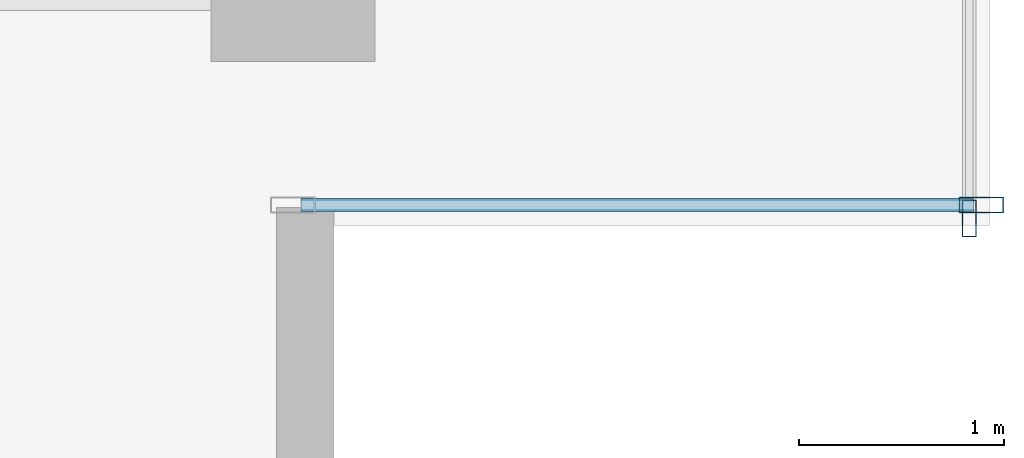
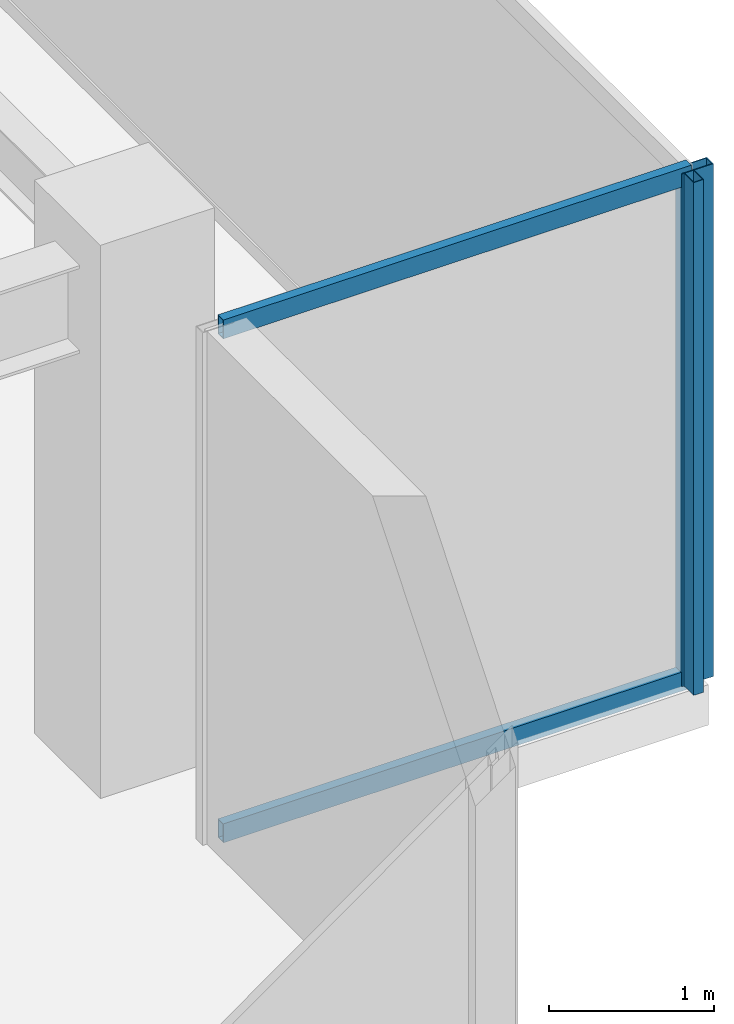
# One storey, part 22 of 33: 4 members, 2 elements without a shape of their own.
"""IFC4 building model written with IfcOpenShell, lengths in metres."""

import ifcopenshell
import ifcopenshell.guid

model = None  # the IFC model being written
_history = None  # IfcOwnerHistory: only IFC2X3 demands one
_inside = {}  # id of a spatial element -> (the spatial element, [elements in it])
_under = {}  # id of a project, library or spatial element -> (it, [spatial elements below it])
_declared = {}  # id of a project -> (the project, [libraries it declares])
_typed = {}  # id of a type object -> (the type object, [elements of that type])
_made_of = {}  # id of a material, layer set ... -> (it, [elements and type objects made of it])


def new_model(schema):
    """Start an empty IFC model of exactly this schema.

    Asked for "IFC4X3", IfcOpenShell would pick the latest addendum, in which some entities
    have other attributes; the version numbers below select the first issue.
    IFC2X3 requires an IfcOwnerHistory on every rooted entity: one is made here for all.
    """
    global model, _history
    if schema == "IFC4X3":
        model = ifcopenshell.file(schema_version=(4, 3, 0, 0))
    else:
        model = ifcopenshell.file(schema=schema)
    _inside.clear()
    _under.clear()
    _declared.clear()
    _typed.clear()
    _made_of.clear()
    _history = None
    if model.schema == "IFC2X3":
        org = make("IfcOrganization", Name="unknown")
        user = make(
            "IfcPersonAndOrganization",
            ThePerson=make("IfcPerson", FamilyName="unknown"),
            TheOrganization=org,
        )
        app = make(
            "IfcApplication",
            ApplicationDeveloper=org,
            Version="unknown",
            ApplicationFullName="unknown",
            ApplicationIdentifier="unknown",
        )
        _history = make(
            "IfcOwnerHistory",
            OwningUser=user,
            OwningApplication=app,
            ChangeAction="ADDED",
            CreationDate=0,
        )
    return model


def make(cls, **values):
    """One entity of the class cls with the attributes given. An attribute that is None is left unset."""
    return model.create_entity(
        cls, **{name: value for name, value in values.items() if value is not None}
    )


def rooted(cls, **values):
    """An entity with a GlobalId (a new one), such as an element, a storey or a relation."""
    return make(cls, GlobalId=ifcopenshell.guid.new(), OwnerHistory=_history, **values)


def si_unit(unit_type, name, prefix=None):
    """IfcSIUnit, for example si_unit("LENGTHUNIT", "METRE", prefix="MILLI")."""
    return make("IfcSIUnit", UnitType=unit_type, Prefix=prefix, Name=name)


def assignment(units):
    """IfcUnitAssignment: the units of a project."""
    return None if units is None else make("IfcUnitAssignment", Units=units)


def point(xyz):
    """IfcCartesianPoint."""
    return None if xyz is None else make("IfcCartesianPoint", Coordinates=xyz)


def direction(xyz):
    """IfcDirection."""
    return None if xyz is None else make("IfcDirection", DirectionRatios=xyz)


def frame(location, z_axis=None, x_axis=None):
    """IfcAxis2Placement3D, a coordinate frame: its origin and axes. An axis left out is left unset."""
    return make(
        "IfcAxis2Placement3D",
        Location=point(location),
        Axis=direction(z_axis),
        RefDirection=direction(x_axis),
    )


def frame_2d(location, x_axis=None):
    """IfcAxis2Placement2D, a coordinate frame in the plane: its origin and x axis."""
    return make(
        "IfcAxis2Placement2D", Location=point(location), RefDirection=direction(x_axis)
    )


def origin():
    """The frame at (0, 0, 0) with its axes left unset."""
    return frame((0.0, 0.0, 0.0))


def origin_2d():
    """The frame at (0, 0) in the plane with its x axis left unset."""
    return frame_2d((0.0, 0.0))


def place(relative_to, where):
    """IfcLocalPlacement: puts the frame where relative to a parent placement (None: the world)."""
    return make(
        "IfcLocalPlacement", PlacementRelTo=relative_to, RelativePlacement=where
    )


def context(
    kind, dimensions, precision=None, world=None, true_north=None, identifier=None
):
    """IfcGeometricRepresentationContext, for example the 3D "Model" context."""
    return make(
        "IfcGeometricRepresentationContext",
        ContextIdentifier=identifier,
        ContextType=kind,
        CoordinateSpaceDimension=dimensions,
        Precision=precision,
        WorldCoordinateSystem=world,
        TrueNorth=true_north,
    )


def subcontext(parent, identifier, kind, view, scale=None):
    """IfcGeometricRepresentationSubContext, for example "Body" below "Model"."""
    return make(
        "IfcGeometricRepresentationSubContext",
        ContextIdentifier=identifier,
        ContextType=kind,
        ParentContext=parent,
        TargetScale=scale,
        TargetView=view,
    )


def project(units=None, contexts=None):
    """IfcProject with its units and contexts."""
    return rooted(
        "IfcProject",
        Name="project",
        RepresentationContexts=contexts,
        UnitsInContext=assignment(units),
    )


def spatial(cls, under=None, at=None, **own):
    """A site, building, storey or space (cls), placed at a placement, below another one or the project."""
    s = rooted(cls, ObjectPlacement=at, **own)
    if under is not None:
        _under.setdefault(under.id(), (under, []))[1].append(s)
    return s


def profile(cls, at=None, kind="AREA", **sizes):
    """A parametric profile (cls). Its sizes go by their IFC names, for example OverallWidth=200.0."""
    return make(cls, ProfileType=kind, Position=at, **sizes)


def hollow_rectangle(**sizes):
    """IfcRectangleHollowProfileDef."""
    return profile("IfcRectangleHollowProfileDef", **sizes)


def extrude(swept, where, along, depth):
    """IfcExtrudedAreaSolid: the profile swept, set in the frame where, extruded along a direction by depth."""
    return make(
        "IfcExtrudedAreaSolid",
        SweptArea=swept,
        Position=where,
        ExtrudedDirection=direction(along),
        Depth=depth,
    )


def shape(context_of_items, identifier, shape_type, items):
    """IfcShapeRepresentation: the items that make up one representation, for example the "Body"."""
    return make(
        "IfcShapeRepresentation",
        ContextOfItems=context_of_items,
        RepresentationIdentifier=identifier,
        RepresentationType=shape_type,
        Items=items,
    )


def source(mapping_origin, context_of_items, identifier, shape_type, items):
    """IfcRepresentationMap: a shape defined once, which mapped items show again and again."""
    return make(
        "IfcRepresentationMap",
        MappingOrigin=mapping_origin,
        MappedRepresentation=shape(context_of_items, identifier, shape_type, items),
    )


def transform(
    local_origin,
    x_axis=None,
    y_axis=None,
    z_axis=None,
    scale=None,
    scale2=None,
    scale3=None,
    uniform=True,
):
    """IfcCartesianTransformationOperator3D, or its non-uniform kind. x_axis, y_axis, z_axis: its Axis1, 2, 3."""
    if uniform:
        return make(
            "IfcCartesianTransformationOperator3D",
            Axis1=direction(x_axis),
            Axis2=direction(y_axis),
            LocalOrigin=point(local_origin),
            Scale=scale,
            Axis3=direction(z_axis),
        )
    return make(
        "IfcCartesianTransformationOperator3DnonUniform",
        Axis1=direction(x_axis),
        Axis2=direction(y_axis),
        LocalOrigin=point(local_origin),
        Scale=scale,
        Axis3=direction(z_axis),
        Scale2=scale2,
        Scale3=scale3,
    )


def mapped(mapping_source, mapping_target):
    """IfcMappedItem: shows the shape of a source again, moved by a transform."""
    return make(
        "IfcMappedItem", MappingSource=mapping_source, MappingTarget=mapping_target
    )


def material(Name=None, Category=None):
    """IfcMaterial."""
    return make("IfcMaterial", Name=Name, Category=Category)


def layer(
    of_material, thickness, ventilated=None, Name=None, Category=None, Priority=None
):
    """IfcMaterialLayer: one layer of a wall or slab, of a material (None: an air gap)."""
    return make(
        "IfcMaterialLayer",
        Material=of_material,
        LayerThickness=thickness,
        IsVentilated=ventilated,
        Name=Name,
        Category=Category,
        Priority=Priority,
    )


def layer_set(layers, Name=None):
    """IfcMaterialLayerSet."""
    return make("IfcMaterialLayerSet", MaterialLayers=layers, LayerSetName=Name)


def material_profile(
    of_material, cross_section, Name=None, Category=None, Priority=None
):
    """IfcMaterialProfile: a cross section and its material."""
    return make(
        "IfcMaterialProfile",
        Name=Name,
        Material=of_material,
        Profile=cross_section,
        Priority=Priority,
        Category=Category,
    )


def profile_set(profiles, Name=None, composite=None):
    """IfcMaterialProfileSet."""
    return make(
        "IfcMaterialProfileSet",
        Name=Name,
        MaterialProfiles=profiles,
        CompositeProfile=composite,
    )


def made_of(thing, what):
    """Note that an element or type object is made of a material, layer set ...; save() writes the relation."""
    if what is not None:
        _made_of.setdefault(what.id(), (what, []))[1].append(thing)
    return thing


def type_object(cls, material=None, **own):
    """A type object (cls), such as IfcWallType, which elements share."""
    return made_of(rooted(cls, **own), material)


def type_shapes(of_type, sources):
    """Give a type object the sources (RepresentationMaps) that its elements show as mapped items."""
    of_type.RepresentationMaps = sources


def element(
    cls,
    number,
    at=None,
    inside=None,
    cuts=None,
    type_object=None,
    material=None,
    context=None,
    identifier="Body",
    shape_type=None,
    held_by="IfcProductDefinitionShape",
    body=None,
    shapes=None,
    **own,
):
    """One element of the class cls, such as IfcWall. Its Tag is "e" and its number.

    at: its placement. inside: the storey or other place that contains it. cuts: it is an
    opening in that element (IfcRelVoidsElement). A single representation is given by context,
    identifier, shape_type and body (its items); several are given by shapes. held_by: the class
    of the entity that holds the representations. save() writes the other relations.
    """
    e = rooted(cls, Tag="e%d" % number, ObjectPlacement=at, **own)
    if body is not None:
        shapes = [shape(context, identifier, shape_type, body)]
    if shapes is not None:
        e.Representation = make(held_by, Representations=shapes)
    if inside is not None:
        _inside.setdefault(inside.id(), (inside, []))[1].append(e)
    if cuts is not None:
        rooted(
            "IfcRelVoidsElement", RelatingBuildingElement=cuts, RelatedOpeningElement=e
        )
    if type_object is not None:
        _typed.setdefault(type_object.id(), (type_object, []))[1].append(e)
    return made_of(e, material)


def aggregate(whole, parts):
    """IfcRelAggregates: a whole, such as a stair, and the parts it consists of."""
    return rooted("IfcRelAggregates", RelatingObject=whole, RelatedObjects=parts)


def save(model, path):
    """Write the relations noted so far, then the file.

    IfcRelAggregates (storeys below a building ...), IfcRelContainedInSpatialStructure (elements
    in a storey), IfcRelDefinesByType, IfcRelAssociatesMaterial and IfcRelDeclares: one each for
    every whole, place, type object, material and project.
    """
    for whole, parts in _under.values():
        aggregate(whole, parts)
    for where, things in _inside.values():
        rooted(
            "IfcRelContainedInSpatialStructure",
            RelatedElements=things,
            RelatingStructure=where,
        )
    for kind, things in _typed.values():
        rooted("IfcRelDefinesByType", RelatedObjects=things, RelatingType=kind)
    for what, things in _made_of.values():
        rooted("IfcRelAssociatesMaterial", RelatedObjects=things, RelatingMaterial=what)
    for by, libraries in _declared.values():
        rooted("IfcRelDeclares", RelatingContext=by, RelatedDefinitions=libraries)
    model.write(path)


model = new_model("IFC4")

# Units and contexts
model_context = context("Model", 3, precision=1e-05, world=origin(), true_north=direction((0.0, 1.0)))
body_context = subcontext(model_context, "Body", "Model", "MODEL_VIEW")
ifc_project = project(units=[si_unit("LENGTHUNIT", "METRE"), si_unit("AREAUNIT", "SQUARE_METRE"), si_unit("VOLUMEUNIT", "CUBIC_METRE"), si_unit("PLANEANGLEUNIT", "RADIAN"), si_unit("MASSUNIT", "GRAM", prefix="KILO")], contexts=[model_context])

# Site, building, storey
site_placement = place(None, origin())
site = spatial("IfcSite", under=ifc_project, at=site_placement, CompositionType="ELEMENT")
building_placement = place(site_placement, origin())
building = spatial("IfcBuilding", under=site, at=building_placement, Name="Haelvirn Gate Laboratories", CompositionType="ELEMENT")
storey_placement = place(building_placement, frame((0.0, 0.0, 217.800048828125)))
storey = spatial("IfcBuildingStorey", under=building, at=storey_placement, Name="L52", CompositionType="ELEMENT", Elevation=217.800048828125)

# Curtain wall, members
ifc_material_1 = material(Name="Anodised bronze unitised aluminium & triple low-E glass", Category="aluminium")
ifc_layer_1 = layer(ifc_material_1, 0.181884765625, Name="CW-SYS-5")
ifc_layer_set_1 = layer_set([ifc_layer_1], Name="Anodised bronze unitised aluminium & triple low-E glass")
curtain_wall_type_1 = type_object("IfcCurtainWallType", Name="CW-SYS-5", PredefinedType="NOTDEFINED", material=ifc_layer_set_1)
curtain_wall_1_placement = place(storey_placement, origin())
curtain_wall_1 = element("IfcCurtainWall", 1, at=curtain_wall_1_placement, inside=storey, type_object=curtain_wall_type_1, Name="L52 Unitised Curtain Wall CW-L52-P0-E06-1", PredefinedType="NOTDEFINED")
ifc_material_2 = material(Name="Extruded aluminium 6063-T6 (anodised bronze)", Category="aluminium")
ifc_material_profile_1 = material_profile(ifc_material_2, hollow_rectangle(XDim=0.06494140625, YDim=0.139892578125, WallThickness=0.00390625, at=origin_2d()), Name="CWT-140x65x4")
ifc_profile_set_1 = profile_set([ifc_material_profile_1], Name="Extruded aluminium 6063-T6 (anodised bronze)")
member_type_1 = type_object("IfcMemberType", Name="CWT-T140", PredefinedType="USERDEFINED", material=ifc_profile_set_1)
shared_shape_1 = source(origin(), body_context, "Body", "SweptSolid", [
    extrude(hollow_rectangle(XDim=0.06494140625, YDim=0.139892578125, WallThickness=0.00390625, at=origin_2d()), origin(), (0.0, 0.0, 1.0), 3.280029296875),
])
type_shapes(member_type_1, [shared_shape_1])
member_1_placement = place(storey_placement, frame((67.43994140625, 5.89990234375, 0.032470703125), z_axis=(1.0, 0.0, 0.0), x_axis=(0.0, 1.0, 0.0)))
member_1 = element("IfcMember", 2, at=member_1_placement, type_object=member_type_1, Name="CW5 transom 1.1", ObjectType="TRANSOM", PredefinedType="USERDEFINED", context=body_context, shape_type="MappedRepresentation", body=[
    mapped(shared_shape_1, transform((0.0, 0.0, 0.0), scale=1.0)),
])
member_2_placement = place(storey_placement, frame((67.43994140625, 5.89990234375, 3.767333984375), z_axis=(1.0, 0.0, 0.0), x_axis=(0.0, 1.0, 0.0)))
member_2 = element("IfcMember", 3, at=member_2_placement, type_object=member_type_1, Name="CW5 transom 1.2", ObjectType="TRANSOM", PredefinedType="USERDEFINED", context=body_context, shape_type="MappedRepresentation", body=[
    mapped(shared_shape_1, transform((0.0, 0.0, 0.0), scale=1.0)),
])

# Curtain wall, member
ifc_layer_2 = layer(ifc_material_1, 0.176025390625, Name="CW-SYS-4")
ifc_layer_set_2 = layer_set([ifc_layer_2], Name="Anodised bronze unitised aluminium & triple low-E glass")
curtain_wall_type_2 = type_object("IfcCurtainWallType", Name="CW-SYS-4", PredefinedType="NOTDEFINED", material=ifc_layer_set_2)
curtain_wall_2_placement = place(storey_placement, origin())
curtain_wall_2 = element("IfcCurtainWall", 4, at=curtain_wall_2_placement, inside=storey, type_object=curtain_wall_type_2, Name="L52 Unitised Curtain Wall CW-L52-P0-E07", PredefinedType="NOTDEFINED")
ifc_material_profile_2 = material_profile(ifc_material_2, hollow_rectangle(XDim=0.070068359375, YDim=0.179931640625, WallThickness=0.0048828125, at=origin_2d()), Name="CWM-180x70x5")
ifc_profile_set_2 = profile_set([ifc_material_profile_2], Name="Extruded aluminium 6063-T6 (anodised bronze)")
member_type_2 = type_object("IfcMemberType", Name="CWM-T180", PredefinedType="MULLION", material=ifc_profile_set_2)
shared_shape_2 = source(origin(), body_context, "Body", "SweptSolid", [
    extrude(hollow_rectangle(XDim=0.070068359375, YDim=0.179931640625, WallThickness=0.0048828125, at=origin_2d()), origin(), (0.0, 0.0, 1.0), 3.800048828125),
])
type_shapes(member_type_2, [shared_shape_2])
member_3_placement = place(storey_placement, frame((70.699951171875, 5.8349609375, 0.0), z_axis=(0.0, 0.0, 1.0), x_axis=(-1.0, 0.0, 0.0)))
member_3 = element("IfcMember", 5, at=member_3_placement, type_object=member_type_2, Name="CW4 mullion 1", PredefinedType="MULLION", context=body_context, shape_type="MappedRepresentation", body=[
    mapped(shared_shape_2, transform((0.0, 0.0, 0.0), scale=1.0)),
])
aggregate(curtain_wall_2, [member_3])

# Member
ifc_material_profile_3 = material_profile(ifc_material_2, hollow_rectangle(XDim=0.080078125, YDim=0.219970703125, WallThickness=0.006103515625, at=origin_2d()), Name="CWM-220x80x6")
ifc_profile_set_3 = profile_set([ifc_material_profile_3], Name="Extruded aluminium 6063-T6 (anodised bronze)")
member_type_3 = type_object("IfcMemberType", Name="CWM-T220", PredefinedType="MULLION", material=ifc_profile_set_3)
shared_shape_3 = source(origin(), body_context, "Body", "SweptSolid", [
    extrude(hollow_rectangle(XDim=0.080078125, YDim=0.219970703125, WallThickness=0.006103515625, at=origin_2d()), origin(), (0.0, 0.0, 1.0), 3.800048828125),
])
type_shapes(member_type_3, [shared_shape_3])
member_4_placement = place(storey_placement, frame((70.760009765625, 5.89990234375, 0.0), z_axis=(0.0, 0.0, 1.0), x_axis=(0.0, 1.0, 0.0)))
member_4 = element("IfcMember", 6, at=member_4_placement, type_object=member_type_3, Name="CW5 mullion 2", PredefinedType="MULLION", context=body_context, shape_type="MappedRepresentation", body=[
    mapped(shared_shape_3, transform((0.0, 0.0, 0.0), scale=1.0)),
])

aggregate(curtain_wall_1, [member_4, member_1, member_2])

save(model, "model.ifc")
